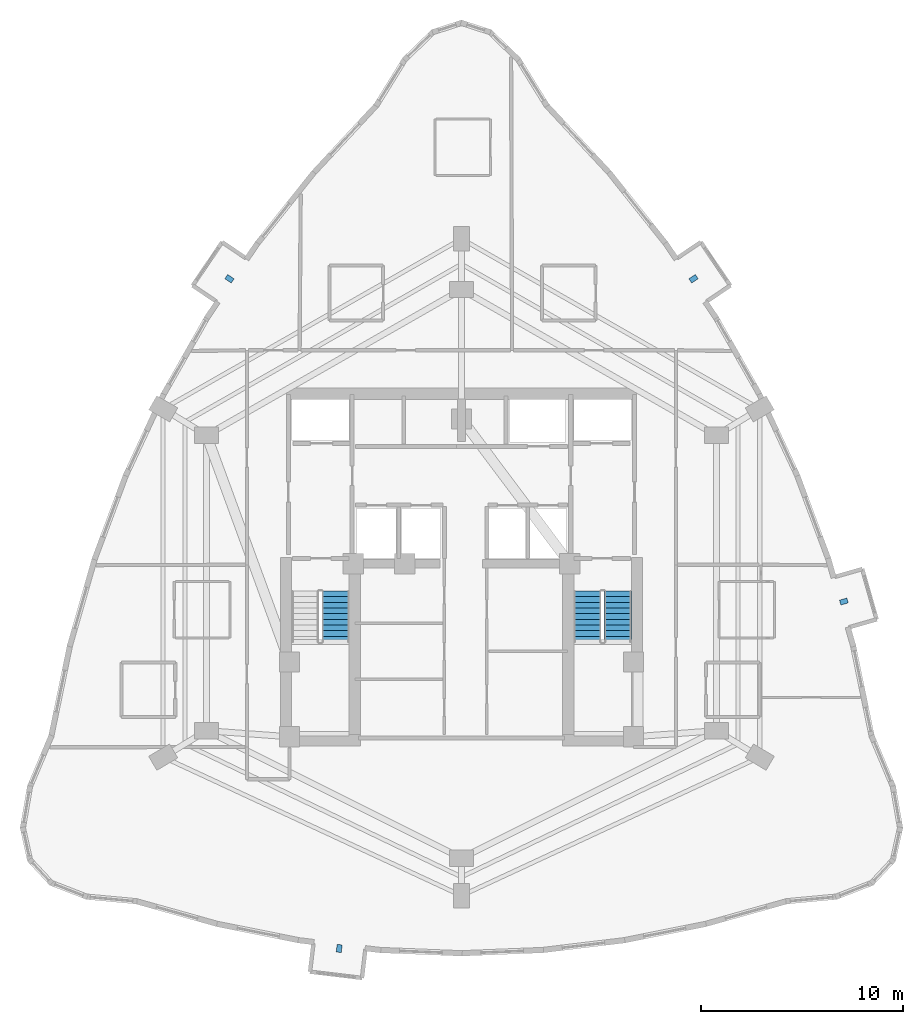
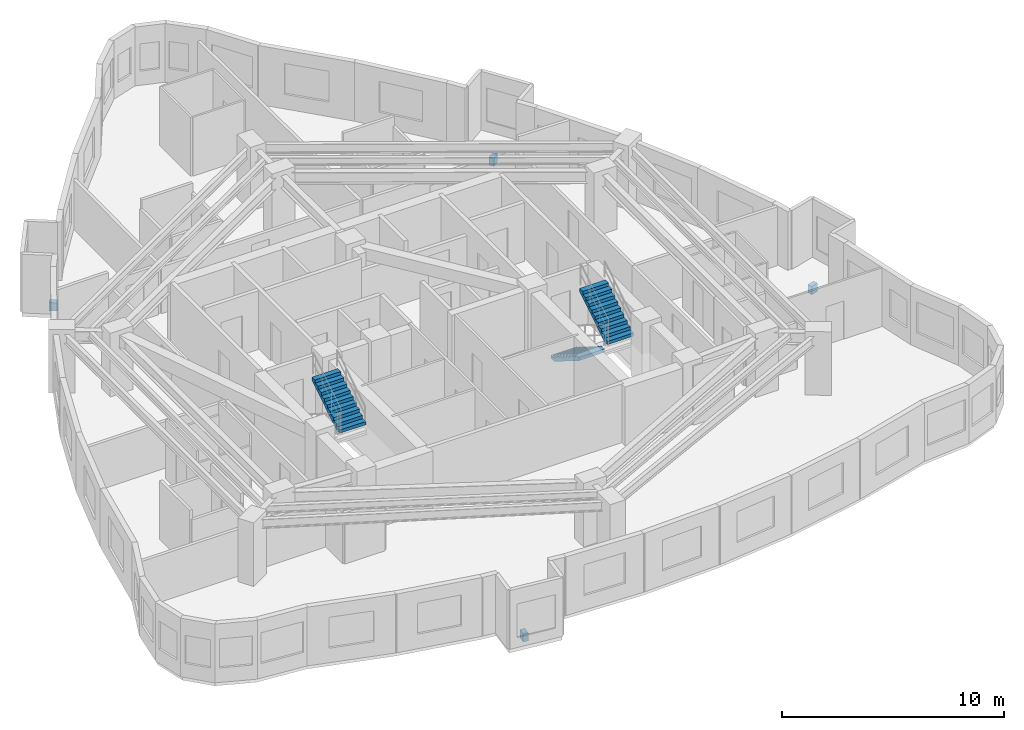
# One storey, part 8 of 9: 4 discrete accessories, 3 stair flights, 2 elements without a shape of their own.
"""IFC4 building model written with IfcOpenShell, lengths in metres."""

from ifc_helpers import new_model, si_unit, direction, frame, origin, origin_2d, place, context, subcontext, project, spatial, polyline, rectangle, outline, extrude, material, type_object, element, aggregate, save


model = new_model("IFC4")

# Units and contexts
model_context = context("Model", 3, precision=1e-05, world=origin(), true_north=direction((0.0, 1.0)))
body_context = subcontext(model_context, "Body", "Model", "MODEL_VIEW")
ifc_project = project(units=[si_unit("LENGTHUNIT", "METRE"), si_unit("AREAUNIT", "SQUARE_METRE"), si_unit("VOLUMEUNIT", "CUBIC_METRE"), si_unit("PLANEANGLEUNIT", "RADIAN"), si_unit("MASSUNIT", "GRAM", prefix="KILO")], contexts=[model_context])

# Site, building, storey
site_placement = place(None, origin())
site = spatial("IfcSite", under=ifc_project, at=site_placement, CompositionType="ELEMENT")
building_placement = place(site_placement, origin())
building = spatial("IfcBuilding", under=site, at=building_placement, Name="Miruveldt Soraemaru", CompositionType="ELEMENT")
storey_placement = place(building_placement, frame((0.0, 0.0, 135.39990234375)))
storey = spatial("IfcBuildingStorey", under=building, at=storey_placement, Name="L37", CompositionType="ELEMENT", Elevation=135.39990234375)

# Stair, stair flight
ifc_material_1 = material(Name="Concrete C40/50 (40 MPa)", Category="concrete")
stair_type = type_object("IfcStairType", Name="STAIR-DL-350", PredefinedType="HALF_TURN_STAIR", material=ifc_material_1)
stair_1_placement = place(storey_placement, origin())
stair_1 = element("IfcStair", 1, at=stair_1_placement, inside=storey, type_object=stair_type, Name="L37 Protected Exit Stair ST-1", PredefinedType="HALF_TURN_STAIR")
stair_flight_type = type_object("IfcStairFlightType", Name="SFL-DL-350", PredefinedType="STRAIGHT", material=ifc_material_1)
stair_flight_1_placement = place(storey_placement, frame((37.77490234375, 40.179931640625, 1.75), z_axis=(0.0, 0.0, 1.0), x_axis=(0.0, 1.0, 0.0)))
stair_flight_1 = element("IfcStairFlight", 2, at=stair_flight_1_placement, type_object=stair_flight_type, Name="ST-1 flight 2", NumberOfRisers=10, NumberOfTreads=9, PredefinedType="STRAIGHT", RiserHeight=0.175, TreadLength=0.28, context=body_context, shape_type="SweptSolid", body=[
    extrude(outline(polyline([(0.0, 0.0), (0.0, 0.175048828125), (0.280029296875, 0.175048828125), (0.280029296875, 0.35009765625), (0.56005859375, 0.35009765625), (0.56005859375, 0.52490234375), (0.840087890625, 0.52490234375), (0.840087890625, 0.699951171875), (1.1201171875, 0.699951171875), (1.1201171875, 0.875), (1.39990234375, 0.875), (1.39990234375, 1.050048828125), (1.679931640625, 1.050048828125), (1.679931640625, 1.22509765625), (1.9599609375, 1.22509765625), (1.9599609375, 1.39990234375), (2.239990234375, 1.39990234375), (2.239990234375, 1.574951171875), (2.52001953125, 1.574951171875), (2.52001953125, 1.75), (2.52001953125, 1.386474609375), (0.3017578125, 0.0), (0.0, 0.0)])), frame((0.0, 0.675048828125, 0.0), z_axis=(0.0, -1.0, 0.0), x_axis=(1.0, 0.0, 0.0)), (0.0, 0.0, 1.0), 1.35009765625),
])
aggregate(stair_1, [stair_flight_1])

# Stair, stair flights
stair_2_placement = place(storey_placement, origin())
stair_2 = element("IfcStair", 3, at=stair_2_placement, inside=storey, type_object=stair_type, Name="L37 Protected Exit Stair ST-2", PredefinedType="HALF_TURN_STAIR")
stair_flight_2_placement = place(storey_placement, frame((50.22509765625, 42.699951171875, 0.0), z_axis=(0.0, 0.0, 1.0), x_axis=(0.0, -1.0, 0.0)))
stair_flight_2 = element("IfcStairFlight", 4, at=stair_flight_2_placement, type_object=stair_flight_type, Name="ST-2 flight 1", NumberOfRisers=10, NumberOfTreads=9, PredefinedType="STRAIGHT", RiserHeight=0.175, TreadLength=0.28, context=body_context, shape_type="SweptSolid", body=[
    extrude(outline(polyline([(0.0, 0.0), (0.0, 0.175048828125), (0.280029296875, 0.175048828125), (0.280029296875, 0.35009765625), (0.56005859375, 0.35009765625), (0.56005859375, 0.52490234375), (0.840087890625, 0.52490234375), (0.840087890625, 0.699951171875), (1.1201171875, 0.699951171875), (1.1201171875, 0.875), (1.39990234375, 0.875), (1.39990234375, 1.050048828125), (1.679931640625, 1.050048828125), (1.679931640625, 1.22509765625), (1.9599609375, 1.22509765625), (1.9599609375, 1.39990234375), (2.239990234375, 1.39990234375), (2.239990234375, 1.574951171875), (2.52001953125, 1.574951171875), (2.52001953125, 1.75), (2.52001953125, 1.386474609375), (0.3017578125, 0.0), (0.0, 0.0)])), frame((0.0, 0.675048828125, 0.0), z_axis=(0.0, -1.0, 0.0), x_axis=(1.0, 0.0, 0.0)), (0.0, 0.0, 1.0), 1.35009765625),
])
stair_flight_3_placement = place(storey_placement, frame((51.72509765625, 40.179931640625, 1.75), z_axis=(0.0, 0.0, 1.0), x_axis=(0.0, 1.0, 0.0)))
stair_flight_3 = element("IfcStairFlight", 5, at=stair_flight_3_placement, type_object=stair_flight_type, Name="ST-2 flight 2", NumberOfRisers=10, NumberOfTreads=9, PredefinedType="STRAIGHT", RiserHeight=0.175, TreadLength=0.28, context=body_context, shape_type="SweptSolid", body=[
    extrude(outline(polyline([(0.0, 0.0), (0.0, 0.175048828125), (0.280029296875, 0.175048828125), (0.280029296875, 0.35009765625), (0.56005859375, 0.35009765625), (0.56005859375, 0.52490234375), (0.840087890625, 0.52490234375), (0.840087890625, 0.699951171875), (1.1201171875, 0.699951171875), (1.1201171875, 0.875), (1.39990234375, 0.875), (1.39990234375, 1.050048828125), (1.679931640625, 1.050048828125), (1.679931640625, 1.22509765625), (1.9599609375, 1.22509765625), (1.9599609375, 1.39990234375), (2.239990234375, 1.39990234375), (2.239990234375, 1.574951171875), (2.52001953125, 1.574951171875), (2.52001953125, 1.75), (2.52001953125, 1.386474609375), (0.3017578125, 0.0), (0.0, 0.0)])), frame((0.0, 0.675048828125, 0.0), z_axis=(0.0, -1.0, 0.0), x_axis=(1.0, 0.0, 0.0)), (0.0, 0.0, 1.0), 1.35009765625),
])
aggregate(stair_2, [stair_flight_2, stair_flight_3])

# Discrete accessories
ifc_material_2 = material(Name="Steel SM355 (355 MPa)", Category="steel")
discrete_accessory_type = type_object("IfcDiscreteAccessoryType", Name="ACC-BAY-BRK", PredefinedType="BRACKET", material=ifc_material_2)
for number, where, z_axis, x_axis, name in (
    (6, (37.9560546875, 25.0400390625, -0.7099609375), (0.0, 0.0, 1.0), (-0.119149147143, -0.992876367296, 0.0), "L37 Bay Window Cantilever Bracket 1"),
    (7, (62.89697265625, 42.18359375, -0.7099609375), (0.0, 0.0, 1.0), (0.961444294128, 0.274999762342, 0.0), "L37 Bay Window Cantilever Bracket 2"),
    (8, (55.4658203125, 58.13427734375, -0.7099609375), (0.0, 0.0, 1.0), (0.827933108356, 0.560826861061, 0.0), "L37 Bay Window Cantilever Bracket 3"),
    (9, (32.5341796875, 58.13427734375, -0.7099609375), (0.0, 0.0, 1.0), (-0.827933108356, 0.560826861061, 0.0), "L37 Bay Window Cantilever Bracket 4"),
):
    element("IfcDiscreteAccessory", number, at=place(storey_placement, frame(where, z_axis=z_axis, x_axis=x_axis)), inside=storey, type_object=discrete_accessory_type, Name=name, PredefinedType="BRACKET", context=body_context, shape_type="SweptSolid", body=[
        extrude(rectangle(XDim=0.3798828125, YDim=0.25, at=origin_2d()), origin(), (0.0, 0.0, 1.0), 0.449951171875),
    ])

save(model, "model.ifc")
